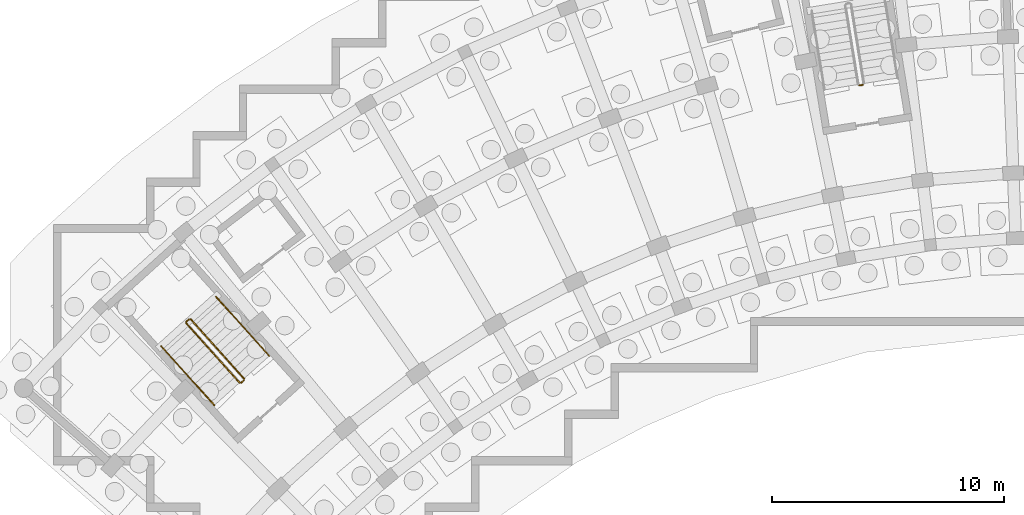
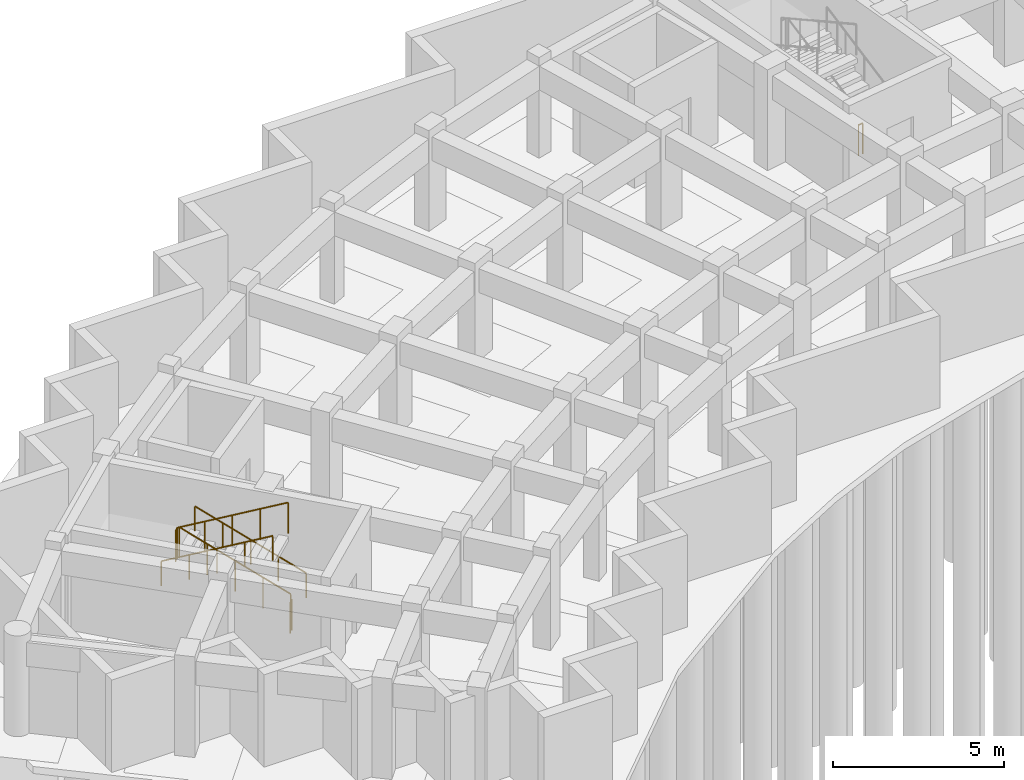
# One storey, part 28 of 32: 7 railings.
"""IFC4 building model written with IfcOpenShell, lengths in metres."""

from ifc_helpers import new_model, si_unit, direction, frame, origin, origin_2d, place, context, subcontext, project, spatial, circle, extrude, material, type_object, element, save


model = new_model("IFC4")

# Units and contexts
model_context = context("Model", 3, precision=1e-05, world=origin(), true_north=direction((0.0, 1.0)))
body_context = subcontext(model_context, "Body", "Model", "MODEL_VIEW")
ifc_project = project(units=[si_unit("LENGTHUNIT", "METRE"), si_unit("AREAUNIT", "SQUARE_METRE"), si_unit("VOLUMEUNIT", "CUBIC_METRE"), si_unit("PLANEANGLEUNIT", "RADIAN"), si_unit("MASSUNIT", "GRAM", prefix="KILO")], contexts=[model_context])

# Site, building, storey
site_placement = place(None, origin())
site = spatial("IfcSite", under=ifc_project, at=site_placement, CompositionType="ELEMENT")
building_placement = place(site_placement, origin())
building = spatial("IfcBuilding", under=site, at=building_placement, Name="Zimvara Arc Housing Community", CompositionType="ELEMENT")
storey_placement = place(building_placement, frame((0.0, 0.0, -3.60009765625)))
storey = spatial("IfcBuildingStorey", under=building, at=storey_placement, Name="B1", CompositionType="ELEMENT", Elevation=-3.60009765625)

# Railings
ifc_material_1 = material(Name="Anodised Aluminium AW-6063", Category="aluminium")
railing_type_1 = type_object("IfcRailingType", Name="RLG-BAL-1120", PredefinedType="BALUSTRADE", material=ifc_material_1)
railing_1_placement = place(storey_placement, frame((10.0478515625, 83.5400390625, 0.150146484375)))
element("IfcRailing", 1, at=railing_1_placement, inside=storey, type_object=railing_type_1, Name="B1 ST-A1 stair guard 1", PredefinedType="BALUSTRADE", context=body_context, shape_type="SweptSolid", body=[
    extrude(circle(Radius=0.02392578125, at=origin_2d()), frame((0.0, 0.0, 1.09619140625), z_axis=(-0.602843770224, 0.669968882148, 0.433267914408), x_axis=(-0.743364884473, -0.668886125235, 0.0)), (0.0, 0.0, 1.0), 3.80810546875),
    extrude(circle(Radius=0.02099609375, at=origin_2d()), origin(), (0.0, 0.0, 1.0), 1.072021484375),
    extrude(circle(Radius=0.02099609375, at=origin_2d()), frame((-0.573974609375, 0.6376953125, 0.41259765625)), (0.0, 0.0, 1.0), 1.072021484375),
    extrude(circle(Radius=0.02099609375, at=origin_2d()), frame((-1.14794921875, 1.275634765625, 0.824951171875)), (0.0, 0.0, 1.0), 1.072021484375),
    extrude(circle(Radius=0.02099609375, at=origin_2d()), frame((-1.7216796875, 1.91357421875, 1.2373046875)), (0.0, 0.0, 1.0), 1.072021484375),
    extrude(circle(Radius=0.02099609375, at=origin_2d()), frame((-2.295654296875, 2.55126953125, 1.64990234375)), (0.0, 0.0, 1.0), 1.072021484375),
])
railing_2_placement = place(storey_placement, frame((7.681640625, 86.094970703125, 1.800048828125)))
element("IfcRailing", 2, at=railing_2_placement, inside=storey, type_object=railing_type_1, Name="B1 ST-A1 stair guard 2", PredefinedType="BALUSTRADE", context=body_context, shape_type="SweptSolid", body=[
    extrude(circle(Radius=0.02392578125, at=origin_2d()), frame((0.0, 0.0, 1.09619140625), z_axis=(-0.743521848755, -0.668711642207, 0.0), x_axis=(0.668711642207, -0.743521848755, 0.0)), (0.0, 0.0, 1.0), 0.159912109375),
    extrude(circle(Radius=0.02099609375, at=origin_2d()), origin(), (0.0, 0.0, 1.0), 1.072021484375),
    extrude(circle(Radius=0.02099609375, at=origin_2d()), frame((-0.118896484375, -0.10693359375, 0.0)), (0.0, 0.0, 1.0), 1.072021484375),
])
railing_3_placement = place(storey_placement, frame((7.558837890625, 85.917236328125, 1.9501953125)))
element("IfcRailing", 3, at=railing_3_placement, inside=storey, type_object=railing_type_1, Name="B1 ST-A1 stair guard 3", PredefinedType="BALUSTRADE", context=body_context, shape_type="SweptSolid", body=[
    extrude(circle(Radius=0.02392578125, at=origin_2d()), frame((0.0, 0.0, 1.09619140625), z_axis=(0.602843770224, -0.669968882148, 0.433267914408), x_axis=(0.743364884473, 0.668886125235, 0.0)), (0.0, 0.0, 1.0), 3.80810546875),
    extrude(circle(Radius=0.02099609375, at=origin_2d()), origin(), (0.0, 0.0, 1.0), 1.072021484375),
    extrude(circle(Radius=0.02099609375, at=origin_2d()), frame((0.573974609375, -0.6376953125, 0.41259765625)), (0.0, 0.0, 1.0), 1.072021484375),
    extrude(circle(Radius=0.02099609375, at=origin_2d()), frame((1.14794921875, -1.275634765625, 0.824951171875)), (0.0, 0.0, 1.0), 1.072021484375),
    extrude(circle(Radius=0.02099609375, at=origin_2d()), frame((1.7216796875, -1.91357421875, 1.2373046875)), (0.0, 0.0, 1.0), 1.072021484375),
    extrude(circle(Radius=0.02099609375, at=origin_2d()), frame((2.295654296875, -2.55126953125, 1.64990234375)), (0.0, 0.0, 1.0), 1.072021484375),
])
railing_4_placement = place(storey_placement, frame((10.0439453125, 83.469482421875, 0.0)))
element("IfcRailing", 4, at=railing_4_placement, inside=storey, type_object=railing_type_1, Name="B1 ST-A1 stair guard 4", PredefinedType="BALUSTRADE", context=body_context, shape_type="SweptSolid", body=[
    extrude(circle(Radius=0.02392578125, at=origin_2d()), frame((0.0, 0.0, 1.09619140625), z_axis=(-0.742763048172, -0.669554369913, 0.0), x_axis=(0.669554369913, -0.742763048172, 0.0)), (0.0, 0.0, 1.0), 0.16015625),
    extrude(circle(Radius=0.02099609375, at=origin_2d()), origin(), (0.0, 0.0, 1.0), 1.072021484375),
    extrude(circle(Radius=0.02099609375, at=origin_2d()), frame((-0.118896484375, -0.107177734375, 0.0)), (0.0, 0.0, 1.0), 1.072021484375),
])
railing_5_placement = place(storey_placement, frame((36.691162109375, 96.1865234375, 0.0)))
element("IfcRailing", 5, at=railing_5_placement, inside=storey, type_object=railing_type_1, Name="B1 ST-A2 stair guard 4", PredefinedType="BALUSTRADE", context=body_context, shape_type="SweptSolid", body=[
    extrude(circle(Radius=0.02392578125, at=origin_2d()), frame((0.0, 0.0, 1.09619140625), z_axis=(-0.987085924886, -0.160191687964, 0.0), x_axis=(0.160191687964, -0.987085924886, 0.0)), (0.0, 0.0, 1.0), 0.159912109375),
    extrude(circle(Radius=0.02099609375, at=origin_2d()), origin(), (0.0, 0.0, 1.0), 1.072021484375),
    extrude(circle(Radius=0.02099609375, at=origin_2d()), frame((-0.157958984375, -0.025634765625, 0.0)), (0.0, 0.0, 1.0), 1.072021484375),
])
ifc_material_2 = material(Name="Anodised Aluminium AW-6063", Category="aluminium")
railing_type_2 = type_object("IfcRailingType", Name="RLG-HND-900", PredefinedType="HANDRAIL", material=ifc_material_2)
railing_6_placement = place(storey_placement, frame((11.133056640625, 84.5166015625, 0.150146484375)))
element("IfcRailing", 6, at=railing_6_placement, inside=storey, type_object=railing_type_2, Name="B1 ST-A1 stair handrail 1", PredefinedType="HANDRAIL", context=body_context, shape_type="SweptSolid", body=[
    extrude(circle(Radius=0.02392578125, at=origin_2d()), frame((0.0, 0.0, 0.8759765625), z_axis=(-0.602802955573, 0.669994776189, 0.433284660047), x_axis=(-0.743400255518, -0.668846813625, 0.0)), (0.0, 0.0, 1.0), 3.807861328125),
    extrude(circle(Radius=0.02099609375, at=origin_2d()), origin(), (0.0, 0.0, 1.0), 0.851806640625),
    extrude(circle(Radius=0.02099609375, at=origin_2d()), frame((-0.57373046875, 0.6376953125, 0.41259765625)), (0.0, 0.0, 1.0), 0.851806640625),
    extrude(circle(Radius=0.02099609375, at=origin_2d()), frame((-1.147705078125, 1.275634765625, 0.824951171875)), (0.0, 0.0, 1.0), 0.851806640625),
    extrude(circle(Radius=0.02099609375, at=origin_2d()), frame((-1.7216796875, 1.91357421875, 1.2373046875)), (0.0, 0.0, 1.0), 0.851806640625),
    extrude(circle(Radius=0.02099609375, at=origin_2d()), frame((-2.29541015625, 2.55126953125, 1.64990234375)), (0.0, 0.0, 1.0), 0.851806640625),
])
railing_7_placement = place(storey_placement, frame((6.4736328125, 84.940673828125, 1.9501953125)))
element("IfcRailing", 7, at=railing_7_placement, inside=storey, type_object=railing_type_2, Name="B1 ST-A1 stair handrail 2", PredefinedType="HANDRAIL", context=body_context, shape_type="SweptSolid", body=[
    extrude(circle(Radius=0.02392578125, at=origin_2d()), frame((0.0, 0.0, 0.8759765625), z_axis=(0.602843770224, -0.669968882148, 0.433267914408), x_axis=(0.743364884473, 0.668886125235, 0.0)), (0.0, 0.0, 1.0), 3.80810546875),
    extrude(circle(Radius=0.02099609375, at=origin_2d()), origin(), (0.0, 0.0, 1.0), 0.851806640625),
    extrude(circle(Radius=0.02099609375, at=origin_2d()), frame((0.573974609375, -0.6376953125, 0.41259765625)), (0.0, 0.0, 1.0), 0.851806640625),
    extrude(circle(Radius=0.02099609375, at=origin_2d()), frame((1.14794921875, -1.275634765625, 0.824951171875)), (0.0, 0.0, 1.0), 0.851806640625),
    extrude(circle(Radius=0.02099609375, at=origin_2d()), frame((1.7216796875, -1.91357421875, 1.2373046875)), (0.0, 0.0, 1.0), 0.851806640625),
    extrude(circle(Radius=0.02099609375, at=origin_2d()), frame((2.295654296875, -2.55126953125, 1.64990234375)), (0.0, 0.0, 1.0), 0.851806640625),
])

save(model, "model.ifc")
